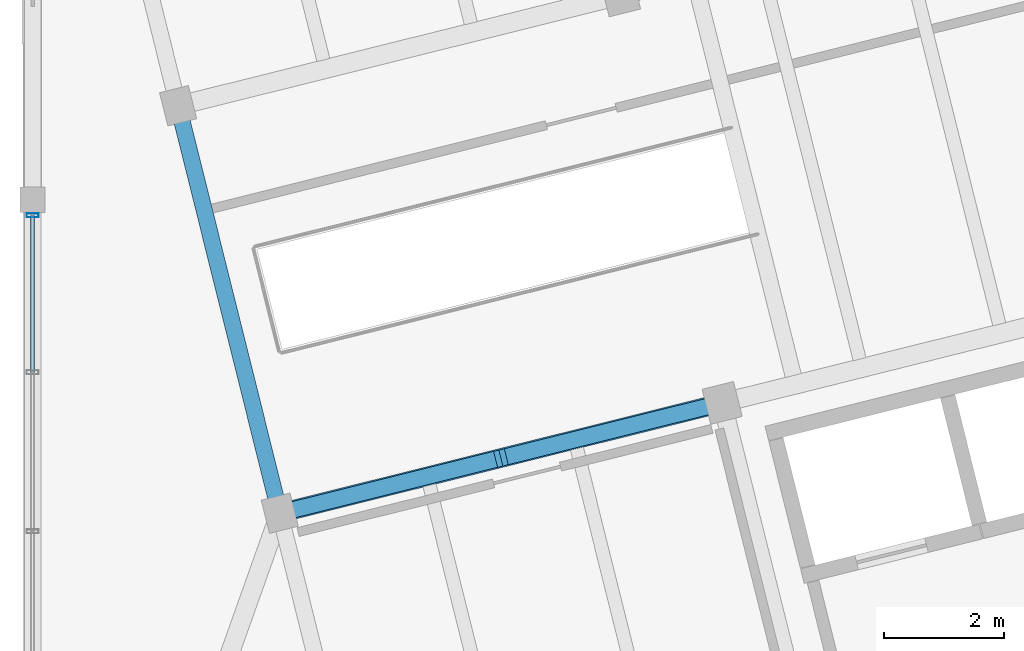
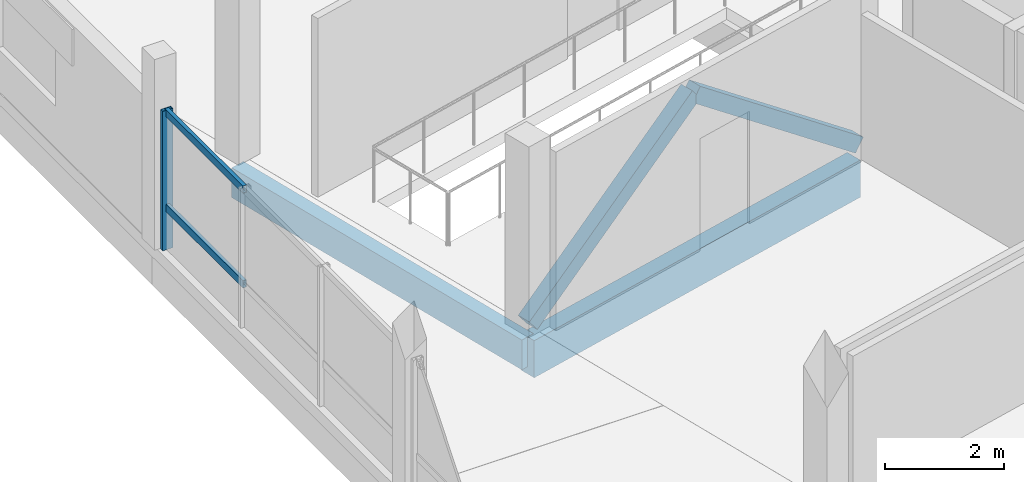
# One storey, part 21 of 47: 5 members, 2 beams, 1 element without a shape of its own.
"""IFC4 building model written with IfcOpenShell, lengths in metres."""

from ifc_helpers import new_model, si_unit, direction, frame, origin, origin_2d, place, context, subcontext, project, spatial, rectangle, hollow_rectangle, extrude, material, layer, layer_set, material_profile, profile_set, type_object, element, aggregate, save


model = new_model("IFC4")

# Units and contexts
model_context = context("Model", 3, precision=1e-05, world=origin(), true_north=direction((0.0, 1.0)))
body_context = subcontext(model_context, "Body", "Model", "MODEL_VIEW")
ifc_project = project(units=[si_unit("LENGTHUNIT", "METRE"), si_unit("AREAUNIT", "SQUARE_METRE"), si_unit("VOLUMEUNIT", "CUBIC_METRE"), si_unit("PLANEANGLEUNIT", "RADIAN"), si_unit("MASSUNIT", "GRAM", prefix="KILO")], contexts=[model_context])

# Site, building, storey
site_placement = place(None, origin())
site = spatial("IfcSite", under=ifc_project, at=site_placement, CompositionType="ELEMENT")
building_placement = place(site_placement, origin())
building = spatial("IfcBuilding", under=site, at=building_placement, Name="Meriwether Solvik Hall", CompositionType="ELEMENT")
storey_placement = place(building_placement, frame((0.0, 0.0, 18.300048828125)))
storey = spatial("IfcBuildingStorey", under=building, at=storey_placement, Name="L04", CompositionType="ELEMENT", Elevation=18.300048828125)

# Beams
ifc_material_1 = material(Name="Glulam Douglas-Fir 24F-V8 GL28h", Category="wood")
ifc_material_profile_1 = material_profile(ifc_material_1, rectangle(XDim=0.27294921875, YDim=0.610107421875, at=origin_2d()), Name="GLB-273X610")
ifc_profile_set_1 = profile_set([ifc_material_profile_1], Name="Glulam Douglas-Fir 24F-V8 GL28h")
beam_type_1 = type_object("IfcBeamType", Name="BM-GL-273X610", PredefinedType="SPANDREL", material=ifc_profile_set_1)
beam_1_placement = place(storey_placement, frame((63.51953125, 61.576171875, -0.550048828125), z_axis=(-0.241911879182, 0.970298223594, 0.0), x_axis=(-0.970298223594, -0.241911879182, 0.0)))
element("IfcBeam", 1, at=beam_1_placement, inside=storey, type_object=beam_type_1, Name="Tower Girder T1:TD-TE (L04)", PredefinedType="SPANDREL", context=body_context, shape_type="SweptSolid", body=[
    extrude(rectangle(XDim=0.27294921875, YDim=0.610107421875, at=origin_2d()), origin(), (0.0, 0.0, 1.0), 7.0),
])
ifc_material_2 = material(Name="Glulam Douglas-Fir 24F-V8 GL28h", Category="wood")
ifc_material_profile_2 = material_profile(ifc_material_2, rectangle(XDim=0.31494140625, YDim=0.760009765625, at=origin_2d()), Name="GLB-315X760")
ifc_profile_set_2 = profile_set([ifc_material_profile_2], Name="Glulam Douglas-Fir 24F-V8 GL28h")
beam_type_2 = type_object("IfcBeamType", Name="BM-GL-315X760", PredefinedType="BEAM", material=ifc_profile_set_2)
beam_2_placement = place(storey_placement, frame((63.51953125, 61.576171875, -0.625), z_axis=(0.970295366785, 0.241923337436, 0.0), x_axis=(-0.241923337436, 0.970295366785, 0.0)))
element("IfcBeam", 2, at=beam_2_placement, inside=storey, type_object=beam_type_2, Name="Tower Girder TD:T1-T2 (L04)", PredefinedType="BEAM", context=body_context, shape_type="SweptSolid", body=[
    extrude(rectangle(XDim=0.31494140625, YDim=0.760009765625, at=origin_2d()), origin(), (0.0, 0.0, 1.0), 7.60009765625),
])

# Curtain wall, members
ifc_material_3 = material(Name="Thermally Broken Anodised Aluminium 6063-T6 and Low-E Glass", Category="aluminium")
ifc_layer = layer(ifc_material_3, 0.179931640625)
ifc_layer_set = layer_set([ifc_layer], Name="Thermally Broken Anodised Aluminium 6063-T6 and Low-E Glass")
curtain_wall_type = type_object("IfcCurtainWallType", Name="CW-UNIT-E", PredefinedType="USERDEFINED", material=ifc_layer_set)
curtain_wall_placement = place(storey_placement, origin())
curtain_wall = element("IfcCurtainWall", 3, at=curtain_wall_placement, inside=storey, type_object=curtain_wall_type, Name="Curtain Wall wing_Y7_7_18 (L04)", ObjectType="UNITISED CURTAIN WALL", PredefinedType="USERDEFINED")
ifc_material_4 = material(Name="Anodised Aluminium 6063-T6", Category="aluminium")
ifc_material_profile_3 = material_profile(ifc_material_4, hollow_rectangle(XDim=0.070068359375, YDim=0.199951171875, WallThickness=0.0048828125, at=origin_2d()), Name="CWM-70X200")
ifc_profile_set_3 = profile_set([ifc_material_profile_3], Name="Anodised Aluminium 6063-T6")
member_type_1 = type_object("IfcMemberType", Name="CW-MUL-70X200", PredefinedType="MULLION", material=ifc_profile_set_3)
member_1_placement = place(storey_placement, frame((59.39990234375, 66.5400390625, 0.0), z_axis=(0.0, 0.0, 1.0), x_axis=(0.0, 1.0, 0.0)))
member_1 = element("IfcMember", 4, at=member_1_placement, type_object=member_type_1, Name="Curtain Wall Mullion 4", PredefinedType="MULLION", context=body_context, shape_type="SweptSolid", body=[
    extrude(hollow_rectangle(XDim=0.070068359375, YDim=0.199951171875, WallThickness=0.0048828125, at=origin_2d()), origin(), (0.0, 0.0, 1.0), 2.85498046875),
])
ifc_material_5 = material(Name="Anodised Aluminium 6063-T6", Category="aluminium")
ifc_material_profile_4 = material_profile(ifc_material_5, hollow_rectangle(XDim=0.070068359375, YDim=0.14990234375, WallThickness=0.0048828125, at=origin_2d()), Name="CWT-70X150")
ifc_profile_set_4 = profile_set([ifc_material_profile_4], Name="Anodised Aluminium 6063-T6")
member_type_2 = type_object("IfcMemberType", Name="CW-TRN-70X150", PredefinedType="USERDEFINED", material=ifc_profile_set_4)
member_2_placement = place(storey_placement, frame((59.39990234375, 63.926025390625, 0.8564453125), z_axis=(0.0, 1.0, 0.0), x_axis=(-1.0, 0.0, 0.0)))
member_2 = element("IfcMember", 5, at=member_2_placement, type_object=member_type_2, Name="Curtain Wall Transom 3-sill", ObjectType="TRANSOM", PredefinedType="USERDEFINED", context=body_context, shape_type="SweptSolid", body=[
    extrude(hollow_rectangle(XDim=0.070068359375, YDim=0.14990234375, WallThickness=0.0048828125, at=origin_2d()), origin(), (0.0, 0.0, 1.0), 2.614013671875),
])
member_3_placement = place(storey_placement, frame((59.39990234375, 63.926025390625, 2.794921875), z_axis=(0.0, 1.0, 0.0), x_axis=(-1.0, 0.0, 0.0)))
member_3 = element("IfcMember", 6, at=member_3_placement, type_object=member_type_2, Name="Curtain Wall Transom 3-head", ObjectType="TRANSOM", PredefinedType="USERDEFINED", context=body_context, shape_type="SweptSolid", body=[
    extrude(hollow_rectangle(XDim=0.070068359375, YDim=0.14990234375, WallThickness=0.0048828125, at=origin_2d()), origin(), (0.0, 0.0, 1.0), 2.614013671875),
])
aggregate(curtain_wall, [member_1, member_2, member_3])

# Members
ifc_material_6 = material(Name="Glulam Douglas-Fir 24F-V8 GL28h", Category="wood")
ifc_material_profile_5 = material_profile(ifc_material_6, rectangle(XDim=0.27294921875, YDim=0.304931640625, at=origin_2d()), Name="GLM-273X305")
ifc_profile_set_5 = profile_set([ifc_material_profile_5], Name="Glulam Douglas-Fir 24F-V8 GL28h")
member_type_3 = type_object("IfcMemberType", Name="MEM-BR-GL273", PredefinedType="BRACE", material=ifc_profile_set_5)
member_4_placement = place(storey_placement, frame((63.51953125, 61.576171875, 0.050048828125), z_axis=(0.772812720145, 0.192704277565, 0.604669795004), x_axis=(-0.241946039438, 0.970289706222, 0.0)))
element("IfcMember", 7, at=member_4_placement, inside=storey, type_object=member_type_3, Name="Tower Chevron Brace L04-B2A", PredefinedType="BRACE", context=body_context, shape_type="SweptSolid", body=[
    extrude(rectangle(XDim=0.27294921875, YDim=0.304931640625, at=origin_2d()), origin(), (0.0, 0.0, 1.0), 4.771240234375),
])
member_5_placement = place(storey_placement, frame((70.893798828125, 63.414794921875, 0.050048828125), z_axis=(-0.772799729756, -0.19266262631, 0.60469966935), x_axis=(0.241900633533, -0.970301027257, 0.0)))
element("IfcMember", 8, at=member_5_placement, inside=storey, type_object=member_type_3, Name="Tower Chevron Brace L04-B2B", PredefinedType="BRACE", context=body_context, shape_type="SweptSolid", body=[
    extrude(rectangle(XDim=0.27294921875, YDim=0.304931640625, at=origin_2d()), origin(), (0.0, 0.0, 1.0), 4.77099609375),
])

save(model, "model.ifc")
